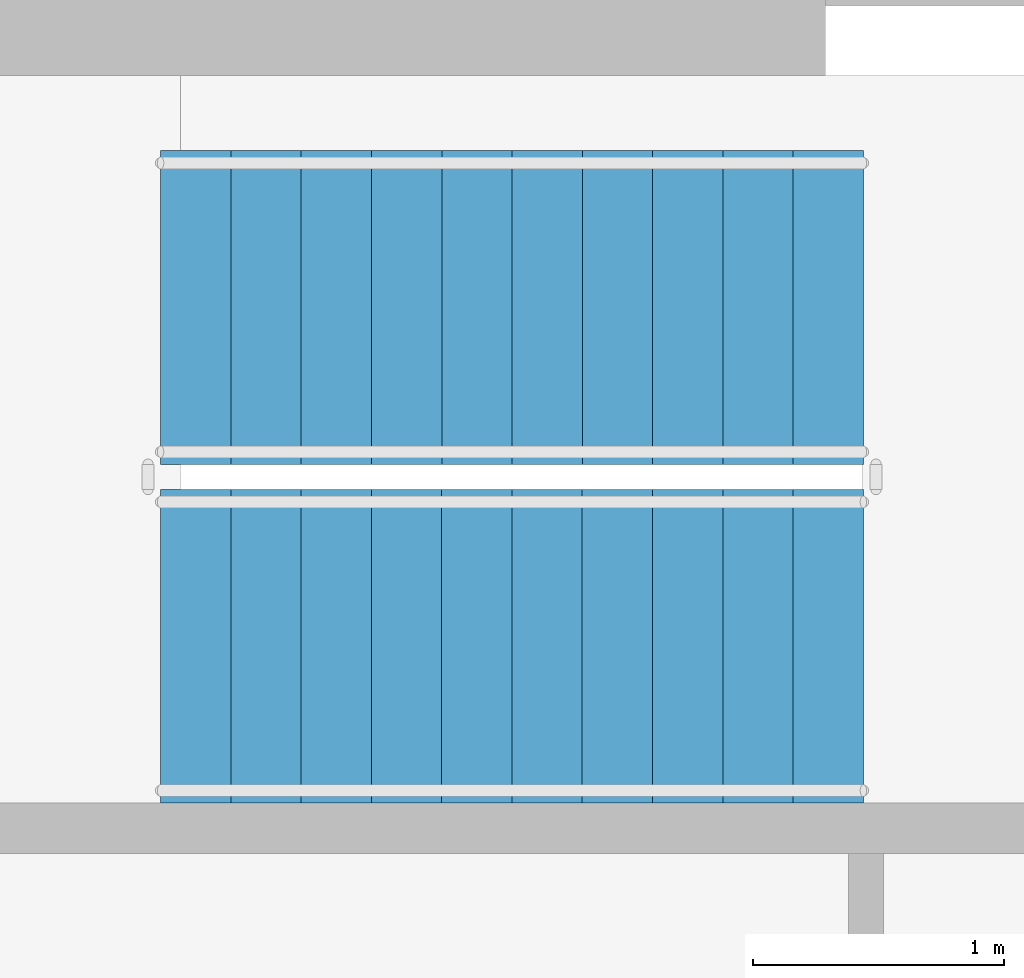
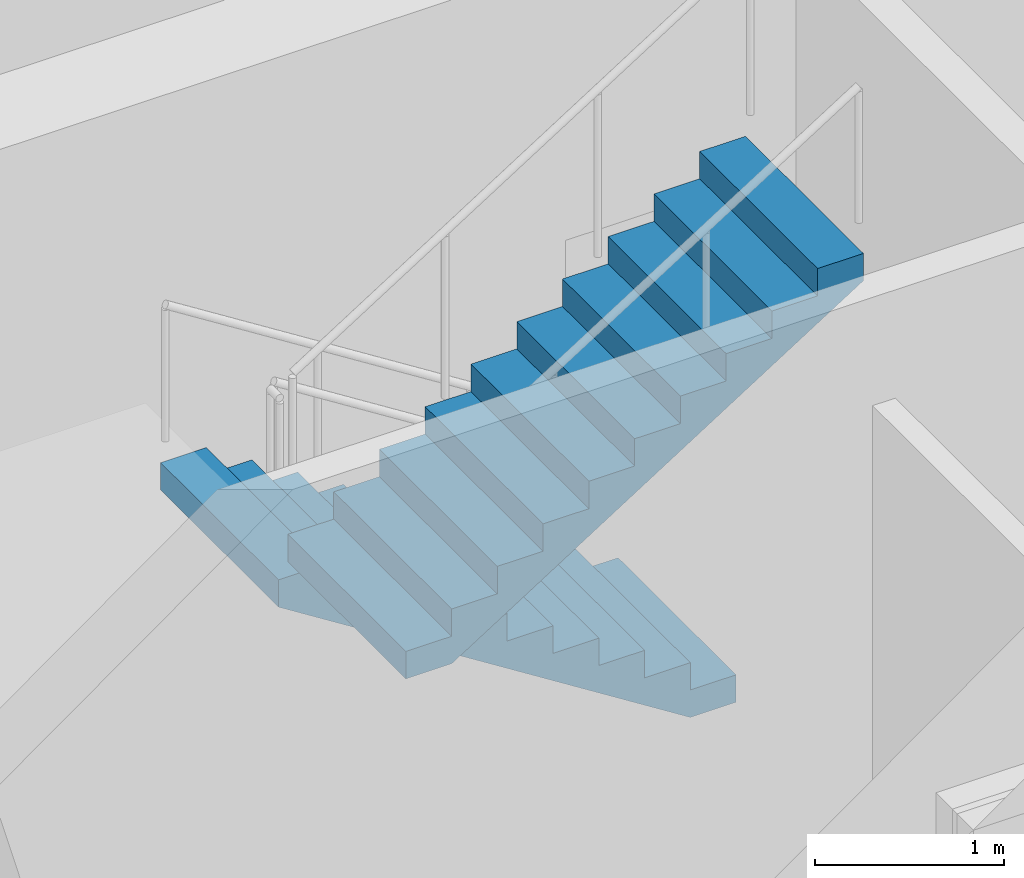
# One storey, part 13 of 15: 2 stair flights, 1 element without a shape of its own.
"""IFC4 building model written with IfcOpenShell, lengths in metres."""

from ifc_helpers import new_model, si_unit, direction, frame, origin, place, context, subcontext, project, spatial, line, indexed_curve, outline, extrude, material, type_object, element, aggregate, save


model = new_model("IFC4")

# Units and contexts
model_context = context("Model", 3, precision=1e-05, world=origin(), true_north=direction((0.0, 1.0)))
body_context = subcontext(model_context, "Body", "Model", "MODEL_VIEW")
ifc_project = project(units=[si_unit("LENGTHUNIT", "METRE"), si_unit("AREAUNIT", "SQUARE_METRE"), si_unit("VOLUMEUNIT", "CUBIC_METRE"), si_unit("PLANEANGLEUNIT", "RADIAN"), si_unit("MASSUNIT", "GRAM", prefix="KILO")], contexts=[model_context])

# Site, building, storey
site_placement = place(None, origin())
site = spatial("IfcSite", under=ifc_project, at=site_placement, CompositionType="ELEMENT")
building_placement = place(site_placement, origin())
building = spatial("IfcBuilding", under=site, at=building_placement, Name="Spindrift Exchange Tower", CompositionType="ELEMENT")
storey_placement = place(building_placement, frame((0.0, 0.0, 199.39990234375)))
storey = spatial("IfcBuildingStorey", under=building, at=storey_placement, Name="L48", CompositionType="ELEMENT", Elevation=199.39990234375)

# Stair, stair flights
ifc_material = material(Name="Concrete 50 MPa", Category="concrete")
stair_type = type_object("IfcStairType", Name="ST-1250-R177", PredefinedType="HALF_TURN_STAIR", material=ifc_material)
stair_placement = place(storey_placement, origin())
stair = element("IfcStair", 1, at=stair_placement, inside=storey, type_object=stair_type, Name="L48 Exit stair ST1", PredefinedType="HALF_TURN_STAIR")
stair_flight_type = type_object("IfcStairFlightType", Name="STF-1250-R177", PredefinedType="STRAIGHT", material=ifc_material)
stair_flight_1_placement = place(storey_placement, frame((49.050048828125, 54.47509765625, 0.0), z_axis=(0.0, 0.0, 1.0), x_axis=(-1.0, 0.0, 0.0)))
stair_flight_1 = element("IfcStairFlight", 2, at=stair_flight_1_placement, type_object=stair_flight_type, Name="ST1 flight 1", NumberOfRisers=11, NumberOfTreads=10, PredefinedType="STRAIGHT", RiserHeight=0.177272727, TreadLength=0.28, context=body_context, shape_type="SweptSolid", body=[
    extrude(outline(indexed_curve([(0.0, 0.0), (0.0, 0.177734375), (0.2802734375, 0.177734375), (0.2802734375, 0.3544921875), (0.5595703125, 0.3544921875), (0.5595703125, 0.5322265625), (0.83984375, 0.5322265625), (0.83984375, 0.708984375), (1.1201171875, 0.708984375), (1.1201171875, 0.88671875), (1.400390625, 0.88671875), (1.400390625, 1.0634765625), (1.6796875, 1.0634765625), (1.6796875, 1.2412109375), (1.9599609375, 1.2412109375), (1.9599609375, 1.41796875), (2.240234375, 1.41796875), (2.240234375, 1.595703125), (2.51953125, 1.595703125), (2.51953125, 1.7724609375), (2.7998046875, 1.7724609375), (2.7998046875, 1.9501953125), (2.7998046875, 1.595703125), (0.2802734375, 0.0)], segments=[line(1, 2, 3, 4, 5, 6, 7, 8, 9, 10, 11, 12, 13, 14, 15, 16, 17, 18, 19, 20, 21, 22, 23, 24, 1)], self_intersect=False)), frame((0.0, 0.625, 0.0), z_axis=(0.0, -1.0, 0.0), x_axis=(1.0, 0.0, 0.0)), (0.0, 0.0, 1.0), 1.25),
])
stair_flight_2_placement = place(storey_placement, frame((46.25, 53.125, 1.9501953125), z_axis=(0.0, 0.0, 1.0), x_axis=(1.0, 0.0, 0.0)))
stair_flight_2 = element("IfcStairFlight", 3, at=stair_flight_2_placement, type_object=stair_flight_type, Name="ST1 flight 2", NumberOfRisers=11, NumberOfTreads=10, PredefinedType="STRAIGHT", RiserHeight=0.177272727, TreadLength=0.28, context=body_context, shape_type="SweptSolid", body=[
    extrude(outline(indexed_curve([(0.0, 0.0), (0.0, 0.177734375), (0.2802734375, 0.177734375), (0.2802734375, 0.3544921875), (0.5595703125, 0.3544921875), (0.5595703125, 0.5322265625), (0.83984375, 0.5322265625), (0.83984375, 0.708984375), (1.1201171875, 0.708984375), (1.1201171875, 0.88671875), (1.400390625, 0.88671875), (1.400390625, 1.0634765625), (1.6796875, 1.0634765625), (1.6796875, 1.2412109375), (1.9599609375, 1.2412109375), (1.9599609375, 1.41796875), (2.240234375, 1.41796875), (2.240234375, 1.595703125), (2.51953125, 1.595703125), (2.51953125, 1.7724609375), (2.7998046875, 1.7724609375), (2.7998046875, 1.9501953125), (2.7998046875, 1.595703125), (0.2802734375, 0.0)], segments=[line(1, 2, 3, 4, 5, 6, 7, 8, 9, 10, 11, 12, 13, 14, 15, 16, 17, 18, 19, 20, 21, 22, 23, 24, 1)], self_intersect=False)), frame((0.0, 0.625, 0.0), z_axis=(0.0, -1.0, 0.0), x_axis=(1.0, 0.0, 0.0)), (0.0, 0.0, 1.0), 1.25),
])
aggregate(stair, [stair_flight_1, stair_flight_2])

save(model, "model.ifc")
